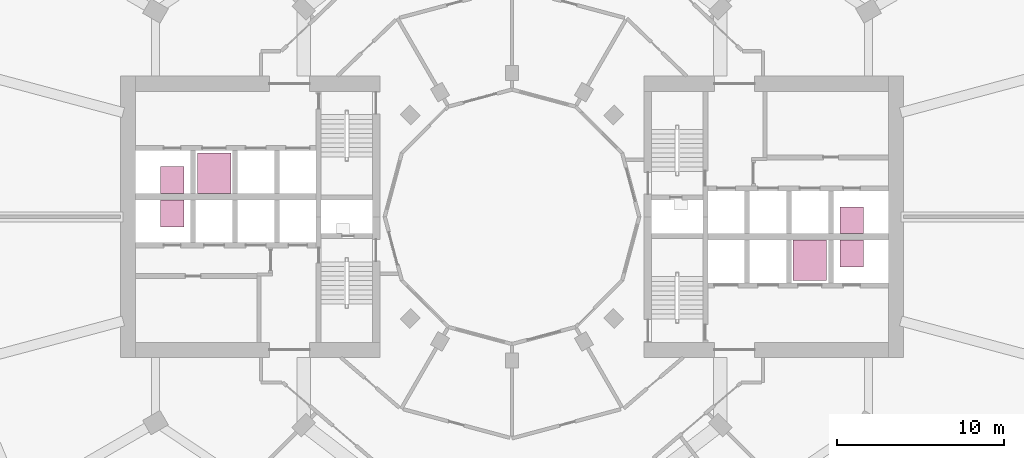
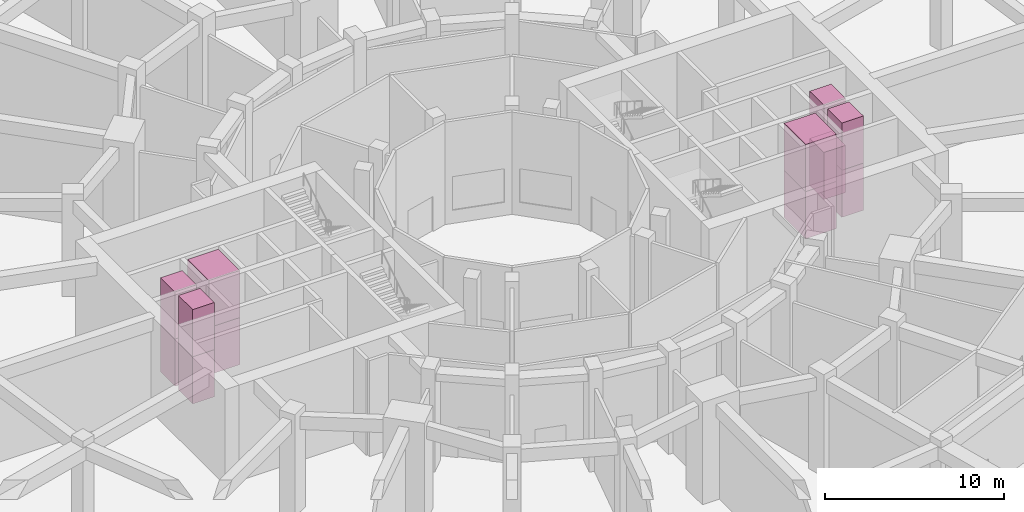
# One storey, part 31 of 31: 12 transport elements.
"""IFC4 building model written with IfcOpenShell, lengths in metres."""

from ifc_helpers import new_model, si_unit, direction, frame, origin, origin_2d, place, context, subcontext, project, spatial, rectangle, extrude, material, type_object, element, save


model = new_model("IFC4")

# Units and contexts
model_context = context("Model", 3, precision=1e-05, world=origin(), true_north=direction((0.0, 1.0)))
body_context = subcontext(model_context, "Body", "Model", "MODEL_VIEW")
ifc_project = project(units=[si_unit("LENGTHUNIT", "METRE"), si_unit("AREAUNIT", "SQUARE_METRE"), si_unit("VOLUMEUNIT", "CUBIC_METRE"), si_unit("PLANEANGLEUNIT", "RADIAN"), si_unit("MASSUNIT", "GRAM", prefix="KILO")], contexts=[model_context])

# Site, building, storey
site_placement = place(None, origin())
site = spatial("IfcSite", under=ifc_project, at=site_placement, CompositionType="ELEMENT")
building_placement = place(site_placement, origin())
building = spatial("IfcBuilding", under=site, at=building_placement, Name="Torre Brocal", CompositionType="ELEMENT")
storey_placement = place(building_placement, origin())
storey = spatial("IfcBuildingStorey", under=building, at=storey_placement, Name="L00", CompositionType="ELEMENT", Elevation=0.0)

# Transport elements
ifc_material_1 = material(Name="Stainless steel AISI 316", Category="steel")
transport_element_type_1 = type_object("IfcTransportElementType", Name="PASSENGER LIFT 2000", PredefinedType="ELEVATOR", material=ifc_material_1)
for number, where, z_axis, x_axis, name in (
    (1, (97.800048828125, 72.39990234375, 0.0), (0.0, 0.0, 1.0), (1.0, 0.0, 0.0), "LOW RISE LIFT E-LR2"),
    (2, (97.800048828125, 72.39990234375, 3.224853515625), (0.0, 0.0, 1.0), (1.0, 0.0, 0.0), "LOW RISE LIFT E-LR2"),
    (3, (62.199951171875, 77.60009765625, 0.0), (0.0, 0.0, 1.0), (1.0, 0.0, 0.0), "LOW RISE LIFT W-LR2"),
    (4, (62.199951171875, 77.60009765625, 3.224853515625), (0.0, 0.0, 1.0), (1.0, 0.0, 0.0), "LOW RISE LIFT W-LR2"),
):
    element("IfcTransportElement", number, at=place(storey_placement, frame(where, z_axis=z_axis, x_axis=x_axis)), inside=storey, type_object=transport_element_type_1, Name=name, PredefinedType="ELEVATOR", context=body_context, shape_type="SweptSolid", body=[
        extrude(rectangle(XDim=2.0, YDim=2.39990234375, at=origin_2d()), origin(), (0.0, 0.0, 1.0), 3.22509765625),
    ])
ifc_material_2 = material(Name="Stainless steel AISI 316", Category="steel")
transport_element_type_2 = type_object("IfcTransportElementType", Name="PASSENGER LIFT 900", PredefinedType="ELEVATOR", material=ifc_material_2)
for number, where, z_axis, x_axis, name in (
    (5, (100.300048828125, 74.800048828125, 0.0), (0.0, 0.0, 1.0), (1.0, 0.0, 0.0), "LOW RISE LIFT E-LR1"),
    (6, (100.300048828125, 74.800048828125, 3.224853515625), (0.0, 0.0, 1.0), (1.0, 0.0, 0.0), "LOW RISE LIFT E-LR1"),
    (7, (100.300048828125, 72.800048828125, 0.0), (0.0, 0.0, 1.0), (1.0, 0.0, 0.0), "LOW RISE LIFT E-LR3"),
    (8, (100.300048828125, 72.800048828125, 3.224853515625), (0.0, 0.0, 1.0), (1.0, 0.0, 0.0), "LOW RISE LIFT E-LR3"),
    (9, (59.699951171875, 75.199951171875, 0.0), (0.0, 0.0, 1.0), (1.0, 0.0, 0.0), "LOW RISE LIFT W-LR1"),
    (10, (59.699951171875, 75.199951171875, 3.224853515625), (0.0, 0.0, 1.0), (1.0, 0.0, 0.0), "LOW RISE LIFT W-LR1"),
    (11, (59.699951171875, 77.199951171875, 0.0), (0.0, 0.0, 1.0), (1.0, 0.0, 0.0), "LOW RISE LIFT W-LR3"),
    (12, (59.699951171875, 77.199951171875, 3.224853515625), (0.0, 0.0, 1.0), (1.0, 0.0, 0.0), "LOW RISE LIFT W-LR3"),
):
    element("IfcTransportElement", number, at=place(storey_placement, frame(where, z_axis=z_axis, x_axis=x_axis)), inside=storey, type_object=transport_element_type_2, Name=name, PredefinedType="ELEVATOR", context=body_context, shape_type="SweptSolid", body=[
        extrude(rectangle(XDim=1.39990234375, YDim=1.60009765625, at=origin_2d()), origin(), (0.0, 0.0, 1.0), 3.22509765625),
    ])

save(model, "model.ifc")
